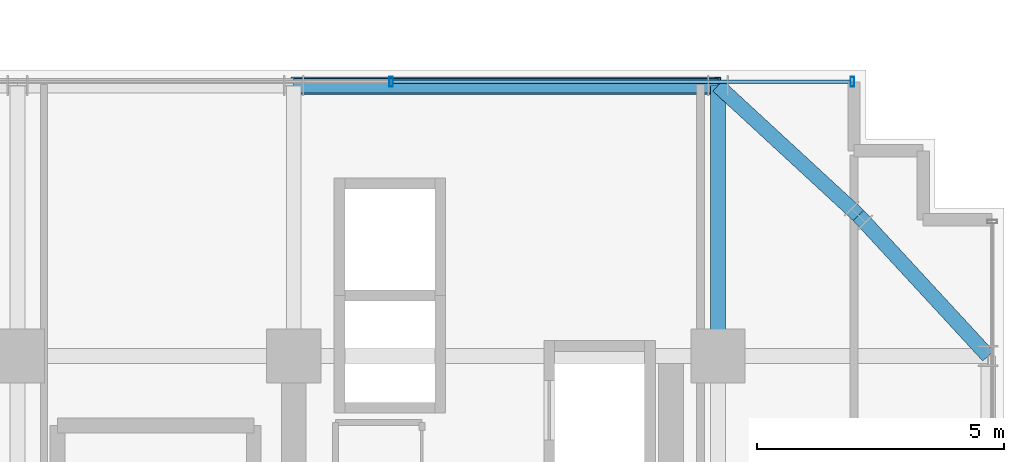
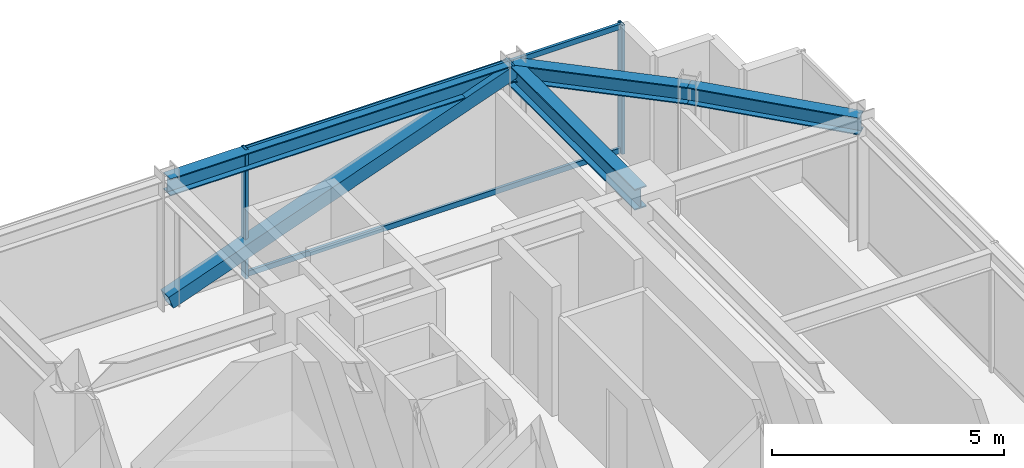
# One storey, part 27 of 37: 5 members, 4 beams, 1 element without a shape of its own.
"""IFC4 building model written with IfcOpenShell, lengths in metres."""

from ifc_helpers import new_model, si_unit, direction, frame, origin, origin_2d, place, context, subcontext, project, spatial, hollow_rectangle, i_section, extrude, source, transform, mapped, material, material_profile, profile_set, type_object, element, aggregate, save


model = new_model("IFC4")

# Units and contexts
model_context = context("Model", 3, precision=1e-05, world=origin(), true_north=direction((0.0, 1.0)))
body_context = subcontext(model_context, "Body", "Model", "MODEL_VIEW")
ifc_project = project(units=[si_unit("LENGTHUNIT", "METRE"), si_unit("AREAUNIT", "SQUARE_METRE"), si_unit("VOLUMEUNIT", "CUBIC_METRE"), si_unit("PLANEANGLEUNIT", "RADIAN"), si_unit("MASSUNIT", "GRAM", prefix="KILO")], contexts=[model_context])

# Site, building, storey
site_placement = place(None, origin())
site = spatial("IfcSite", under=ifc_project, at=site_placement, CompositionType="ELEMENT")
building_placement = place(site_placement, origin())
building = spatial("IfcBuilding", under=site, at=building_placement, Name="Nahalor Promenade Grand Hotel", CompositionType="ELEMENT")
storey_placement = place(building_placement, frame((0.0, 0.0, 167.25)))
storey = spatial("IfcBuildingStorey", under=building, at=storey_placement, Name="L42", CompositionType="ELEMENT", Elevation=167.25)

# Beams
ifc_material_1 = material(Name="Steel S355JR", Category="steel")
ifc_material_profile_1 = material_profile(ifc_material_1, i_section(OverallWidth=0.3, OverallDepth=0.55, WebThickness=0.015, FlangeThickness=0.029, at=origin_2d()), Name="HEB 550")
ifc_profile_set_1 = profile_set([ifc_material_profile_1], Name="Steel S355JR")
beam_type_1 = type_object("IfcBeamType", Name="Beam-Girder-HEB550", PredefinedType="BEAM", material=ifc_profile_set_1)
shared_shape_1 = source(origin(), body_context, "Body", "SweptSolid", [
    extrude(i_section(OverallWidth=0.3, OverallDepth=0.55, WebThickness=0.015, FlangeThickness=0.029, at=origin_2d()), origin(), (0.0, 0.0, 1.0), 5.47998046875),
])
beam_1_placement = place(storey_placement, frame((17.0, 17.0, 3.114990234375), z_axis=(0.0, 1.0, 0.0), x_axis=(-1.0, 0.0, 0.0)))
element("IfcBeam", 1, at=beam_1_placement, inside=storey, type_object=beam_type_1, Name="BM-L42-GY-5-4", PredefinedType="BEAM", context=body_context, shape_type="MappedRepresentation", body=[
    mapped(shared_shape_1, transform((0.0, 0.0, 0.0), scale=1.0)),
])
ifc_material_profile_2 = material_profile(ifc_material_1, i_section(OverallWidth=0.3, OverallDepth=0.45, WebThickness=0.014, FlangeThickness=0.026, at=origin_2d()), Name="HEB 450")
ifc_profile_set_2 = profile_set([ifc_material_profile_2], Name="Steel S355JR")
beam_type_2 = type_object("IfcBeamType", Name="Beam-Spandrel-HEB450", PredefinedType="SPANDREL", material=ifc_profile_set_2)
shared_shape_2 = source(origin(), body_context, "Body", "SweptSolid", [
    extrude(i_section(OverallWidth=0.3, OverallDepth=0.45, WebThickness=0.014, FlangeThickness=0.026, at=origin_2d()), origin(), (0.0, 0.0, 1.0), 8.60009765625),
])
beam_2_placement = place(storey_placement, frame((8.39990234375, 22.47998046875, 3.1650390625), z_axis=(1.0, 0.0, 0.0), x_axis=(0.0, 1.0, 0.0)))
element("IfcBeam", 2, at=beam_2_placement, inside=storey, type_object=beam_type_2, Name="BM-L42-SP-N-4", PredefinedType="SPANDREL", context=body_context, shape_type="MappedRepresentation", body=[
    mapped(shared_shape_2, transform((0.0, 0.0, 0.0), scale=1.0)),
])
shared_shape_3 = source(origin(), body_context, "Body", "SweptSolid", [
    extrude(i_section(OverallWidth=0.3, OverallDepth=0.45, WebThickness=0.014, FlangeThickness=0.026, at=origin_2d()), origin(), (0.0, 0.0, 1.0), 3.878173828125),
])
for number, where, z_axis, x_axis, name in (
    (3, (17.0, 22.47998046875, 3.1650390625), (0.73492893846, -0.678144125843, 0.0), (0.678144125843, 0.73492893846, 0.0), "BM-L42-SPC-NE-1"),
    (4, (19.85009765625, 19.85009765625, 3.1650390625), (0.678144125843, -0.73492893846, 0.0), (0.73492893846, 0.678144125843, 0.0), "BM-L42-SPC-NE-2"),
):
    element("IfcBeam", number, at=place(storey_placement, frame(where, z_axis=z_axis, x_axis=x_axis)), inside=storey, type_object=beam_type_2, Name=name, PredefinedType="SPANDREL", context=body_context, shape_type="MappedRepresentation", body=[
        mapped(shared_shape_3, transform((0.0, 0.0, 0.0), scale=1.0)),
    ])

# Member
ifc_material_profile_3 = material_profile(ifc_material_1, hollow_rectangle(XDim=0.35, YDim=0.35, WallThickness=0.02, at=origin_2d()), Name="SHS 350x350x20")
ifc_profile_set_3 = profile_set([ifc_material_profile_3], Name="Steel S355JR")
member_type_1 = type_object("IfcMemberType", Name="Mem-VoidBrace-SHS350", PredefinedType="BRACE", material=ifc_profile_set_3)
shared_shape_4 = source(origin(), body_context, "Body", "SweptSolid", [
    extrude(hollow_rectangle(XDim=0.35, YDim=0.35, WallThickness=0.02, at=origin_2d()), origin(), (0.0, 0.0, 1.0), 9.138427734375),
])
member_1_placement = place(storey_placement, frame((8.39990234375, 22.47998046875, 0.14990234375), z_axis=(0.941094643271, 0.0, 0.338143272012), x_axis=(0.0, 1.0, 0.0)))
element("IfcMember", 5, at=member_1_placement, inside=storey, type_object=member_type_1, Name="EXO-L42-N-1", PredefinedType="BRACE", context=body_context, shape_type="MappedRepresentation", body=[
    mapped(shared_shape_4, transform((0.0, 0.0, 0.0), scale=1.0)),
])

# Curtain wall, members
ifc_material_2 = material(Name="Anodised Bronze Aluminium EN AW-6063 T6", Category="aluminium")
curtain_wall_type = type_object("IfcCurtainWallType", Name="CW3 Elliptical-Void Collar Unitised Curtain Wall", PredefinedType="USERDEFINED", material=ifc_material_2)
curtain_wall_placement = place(storey_placement, origin())
curtain_wall = element("IfcCurtainWall", 6, at=curtain_wall_placement, inside=storey, type_object=curtain_wall_type, Name="L42 Curtain Wall CW-L42-N-3", ObjectType="UNITISED_CURTAIN_WALL", PredefinedType="USERDEFINED")
ifc_material_profile_4 = material_profile(ifc_material_2, hollow_rectangle(XDim=0.07, YDim=0.2, WallThickness=0.005, at=origin_2d()), Name="CWM 70x200x5")
ifc_profile_set_4 = profile_set([ifc_material_profile_4], Name="Anodised Bronze Aluminium EN AW-6063 T6")
member_type_2 = type_object("IfcMemberType", Name="CWM3 Void Collar Mullion 70x200", PredefinedType="MULLION", material=ifc_profile_set_4)
shared_shape_5 = source(origin(), body_context, "Body", "SweptSolid", [
    extrude(hollow_rectangle(XDim=0.07, YDim=0.2, WallThickness=0.005, at=origin_2d()), origin(), (0.0, 0.0, 1.0), 3.389892578125),
])
member_2_placement = place(storey_placement, frame((10.373291015625, 22.56005859375, 0.0), z_axis=(0.0, 0.0, 1.0), x_axis=(1.0, 0.0, 0.0)))
member_2 = element("IfcMember", 7, at=member_2_placement, type_object=member_type_2, Name="CW-L42-N-3 Mullion 2", PredefinedType="MULLION", context=body_context, shape_type="MappedRepresentation", body=[
    mapped(shared_shape_5, transform((0.0, 0.0, 0.0), scale=1.0)),
])
member_3_placement = place(storey_placement, frame((19.72509765625, 22.56005859375, 0.0), z_axis=(0.0, 0.0, 1.0), x_axis=(1.0, 0.0, 0.0)))
member_3 = element("IfcMember", 8, at=member_3_placement, type_object=member_type_2, Name="CW-L42-N-3 Mullion 3", PredefinedType="MULLION", context=body_context, shape_type="MappedRepresentation", body=[
    mapped(shared_shape_5, transform((0.0, 0.0, 0.0), scale=1.0)),
])
ifc_material_profile_5 = material_profile(ifc_material_2, hollow_rectangle(XDim=0.07, YDim=0.14, WallThickness=0.004, at=origin_2d()), Name="CWT 70x140x4")
ifc_profile_set_5 = profile_set([ifc_material_profile_5], Name="Anodised Bronze Aluminium EN AW-6063 T6")
member_type_3 = type_object("IfcMemberType", Name="CWT3 Void Collar Transom 70x140", PredefinedType="USERDEFINED", material=ifc_profile_set_5)
shared_shape_6 = source(origin(), body_context, "Body", "SweptSolid", [
    extrude(hollow_rectangle(XDim=0.07, YDim=0.14, WallThickness=0.004, at=origin_2d()), origin(), (0.0, 0.0, 1.0), 9.281494140625),
])
member_4_placement = place(storey_placement, frame((10.408447265625, 22.56005859375, 0.070068359375), z_axis=(1.0, 0.0, 0.0), x_axis=(0.0, 1.0, 0.0)))
member_4 = element("IfcMember", 9, at=member_4_placement, type_object=member_type_3, Name="CW-L42-N-3 Transom 2-0", ObjectType="TRANSOM", PredefinedType="USERDEFINED", context=body_context, shape_type="MappedRepresentation", body=[
    mapped(shared_shape_6, transform((0.0, 0.0, 0.0), scale=1.0)),
])
member_5_placement = place(storey_placement, frame((10.408447265625, 22.56005859375, 3.320068359375), z_axis=(1.0, 0.0, 0.0), x_axis=(0.0, 1.0, 0.0)))
member_5 = element("IfcMember", 10, at=member_5_placement, type_object=member_type_3, Name="CW-L42-N-3 Transom 2-1", ObjectType="TRANSOM", PredefinedType="USERDEFINED", context=body_context, shape_type="MappedRepresentation", body=[
    mapped(shared_shape_6, transform((0.0, 0.0, 0.0), scale=1.0)),
])
aggregate(curtain_wall, [member_2, member_3, member_4, member_5])

save(model, "model.ifc")
